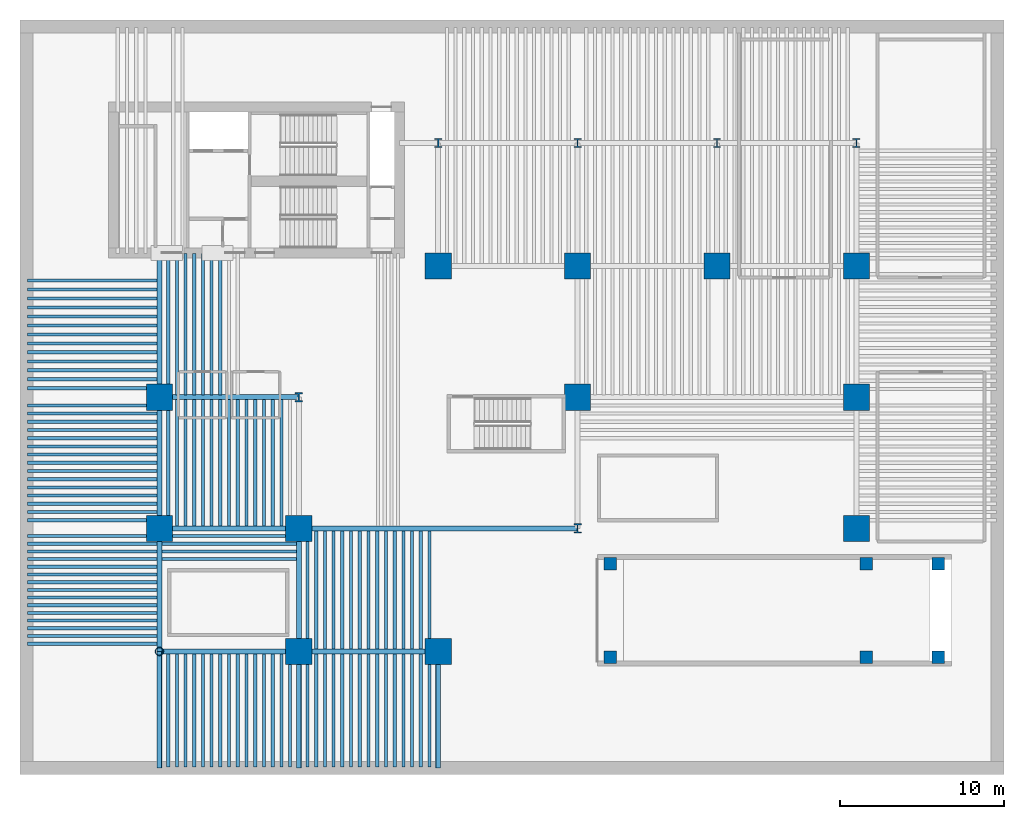
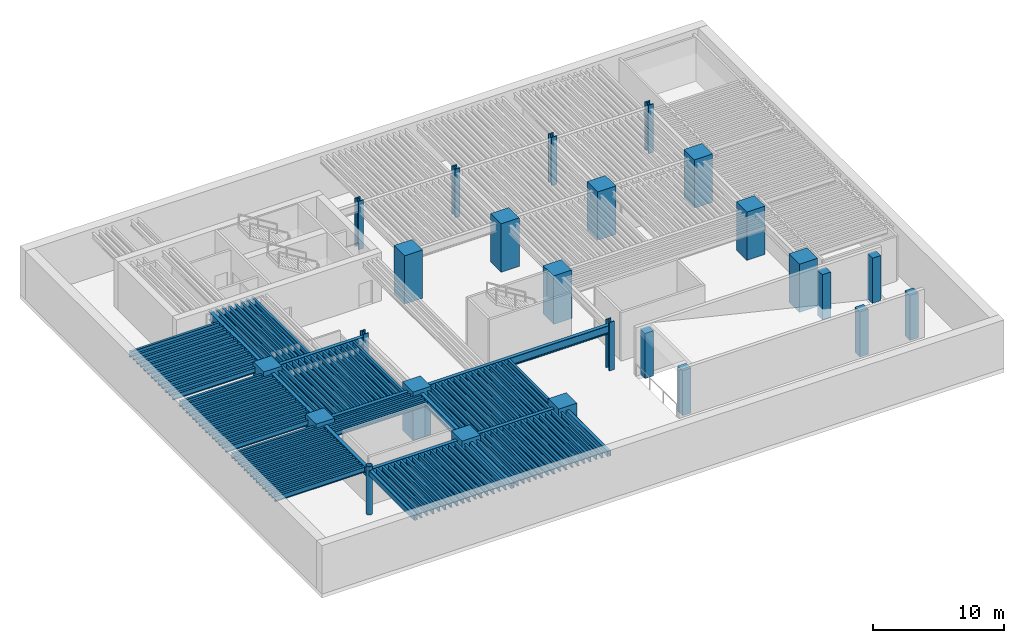
# One storey, part 1 of 9: 125 beams, 25 columns.
"""IFC4 building model written with IfcOpenShell, lengths in metres."""

from ifc_helpers import new_model, si_unit, direction, frame, origin, origin_2d, place, context, subcontext, project, spatial, rectangle, hollow_rectangle, hollow_circle, i_section, extrude, material, material_profile, profile_set, type_object, element, save


model = new_model("IFC4")

# Units and contexts
model_context = context("Model", 3, precision=1e-05, world=origin(), true_north=direction((0.0, 1.0)))
body_context = subcontext(model_context, "Body", "Model", "MODEL_VIEW")
ifc_project = project(units=[si_unit("LENGTHUNIT", "METRE"), si_unit("AREAUNIT", "SQUARE_METRE"), si_unit("VOLUMEUNIT", "CUBIC_METRE"), si_unit("PLANEANGLEUNIT", "RADIAN"), si_unit("MASSUNIT", "GRAM", prefix="KILO")], contexts=[model_context])

# Site, building, storey
site_placement = place(None, origin())
site = spatial("IfcSite", under=ifc_project, at=site_placement, CompositionType="ELEMENT")
building_placement = place(site_placement, origin())
building = spatial("IfcBuilding", under=site, at=building_placement, Name="Caeloran Harvest Quay", CompositionType="ELEMENT")
storey_placement = place(building_placement, frame((0.0, 0.0, -13.5)))
storey = spatial("IfcBuildingStorey", under=building, at=storey_placement, Name="B03", CompositionType="ELEMENT", Elevation=-13.5)

# Columns
ifc_material_1 = material(Name="Steel HISTAR 460", Category="steel")
ifc_material_profile_1 = material_profile(ifc_material_1, hollow_circle(Radius=0.25390625, WallThickness=0.02490234375, at=origin_2d()), Name="CHS 508x25")
ifc_profile_set_1 = profile_set([ifc_material_profile_1], Name="Steel HISTAR 460")
column_type_1 = type_object("IfcColumnType", Name="COL-CC-1-CHS_508x25", PredefinedType="COLUMN", material=ifc_profile_set_1)
column_placement = place(storey_placement, frame((8.5, 7.5, 0.0), z_axis=(0.0, 0.0, 1.0), x_axis=(1.0, 0.0, 0.0)))
element("IfcColumn", 1, at=column_placement, inside=storey, type_object=column_type_1, Name="B03 Structural Column (8.5, 7.5)", PredefinedType="COLUMN", context=body_context, shape_type="SweptSolid", body=[
    extrude(hollow_circle(Radius=0.25390625, WallThickness=0.02490234375, at=origin_2d()), origin(), (0.0, 0.0, 1.0), 4.5),
])
ifc_material_2 = material(Name="Concrete C80/95", Category="concrete")
ifc_material_profile_2 = material_profile(ifc_material_2, rectangle(XDim=1.60009765625, YDim=1.60009765625, at=origin_2d()), Name="RC 1600x1600")
ifc_profile_set_2 = profile_set([ifc_material_profile_2], Name="Concrete C80/95")
column_type_2 = type_object("IfcColumnType", Name="COL-MC-1-RC_1600x1600", PredefinedType="COLUMN", material=ifc_profile_set_2)
for number, where, z_axis, x_axis, name in (
    (2, (8.5, 15.0, 0.0), (0.0, 0.0, 1.0), (1.0, 0.0, 0.0), "B03 Structural Column (8.5, 15.0)"),
    (3, (8.5, 23.0, 0.0), (0.0, 0.0, 1.0), (1.0, 0.0, 0.0), "B03 Structural Column (8.5, 23.0)"),
    (4, (17.0, 7.5, 0.0), (0.0, 0.0, 1.0), (1.0, 0.0, 0.0), "B03 Structural Column (17.0, 7.5)"),
    (5, (17.0, 15.0, 0.0), (0.0, 0.0, 1.0), (1.0, 0.0, 0.0), "B03 Structural Column (17.0, 15.0)"),
    (6, (25.5, 7.5, 0.0), (0.0, 0.0, 1.0), (1.0, 0.0, 0.0), "B03 Structural Column (25.5, 7.5)"),
    (7, (25.5, 31.0, 0.0), (0.0, 0.0, 1.0), (1.0, 0.0, 0.0), "B03 Structural Column (25.5, 31.0)"),
    (8, (34.0, 23.0, 0.0), (0.0, 0.0, 1.0), (1.0, 0.0, 0.0), "B03 Structural Column (34.0, 23.0)"),
    (9, (34.0, 31.0, 0.0), (0.0, 0.0, 1.0), (1.0, 0.0, 0.0), "B03 Structural Column (34.0, 31.0)"),
    (10, (42.5, 31.0, 0.0), (0.0, 0.0, 1.0), (1.0, 0.0, 0.0), "B03 Structural Column (42.5, 31.0)"),
    (11, (51.0, 15.0, 0.0), (0.0, 0.0, 1.0), (1.0, 0.0, 0.0), "B03 Structural Column (51.0, 15.0)"),
    (12, (51.0, 23.0, 0.0), (0.0, 0.0, 1.0), (1.0, 0.0, 0.0), "B03 Structural Column (51.0, 23.0)"),
    (13, (51.0, 31.0, 0.0), (0.0, 0.0, 1.0), (1.0, 0.0, 0.0), "B03 Structural Column (51.0, 31.0)"),
):
    element("IfcColumn", number, at=place(storey_placement, frame(where, z_axis=z_axis, x_axis=x_axis)), inside=storey, type_object=column_type_2, Name=name, PredefinedType="COLUMN", context=body_context, shape_type="SweptSolid", body=[
        extrude(rectangle(XDim=1.60009765625, YDim=1.60009765625, at=origin_2d()), origin(), (0.0, 0.0, 1.0), 4.5),
    ])
ifc_material_3 = material(Name="Concrete C60/75", Category="concrete")
ifc_material_profile_3 = material_profile(ifc_material_3, rectangle(XDim=0.75, YDim=0.75, at=origin_2d()), Name="RC 750x750")
ifc_profile_set_3 = profile_set([ifc_material_profile_3], Name="Concrete C60/75")
column_type_3 = type_object("IfcColumnType", Name="COL-MC-5-RC_750x750", PredefinedType="COLUMN", material=ifc_profile_set_3)
for number, where, z_axis, x_axis, name in (
    (14, (36.0, 7.14990234375, 0.0), (0.0, 0.0, 1.0), (1.0, 0.0, 0.0), "B03 Vehicle Ramp Support Pier (36.0, 7.2)"),
    (15, (36.0, 12.85009765625, 0.0), (0.0, 0.0, 1.0), (1.0, 0.0, 0.0), "B03 Vehicle Ramp Support Pier (36.0, 12.8)"),
    (16, (51.60009765625, 7.14990234375, 0.0), (0.0, 0.0, 1.0), (1.0, 0.0, 0.0), "B03 Vehicle Ramp Support Pier (51.6, 7.2)"),
    (17, (51.60009765625, 12.85009765625, 0.0), (0.0, 0.0, 1.0), (1.0, 0.0, 0.0), "B03 Vehicle Ramp Support Pier (51.6, 12.8)"),
    (18, (56.0, 7.14990234375, 0.0), (0.0, 0.0, 1.0), (1.0, 0.0, 0.0), "B03 Vehicle Ramp Support Pier (56.0, 7.2)"),
    (19, (56.0, 12.85009765625, 0.0), (0.0, 0.0, 1.0), (1.0, 0.0, 0.0), "B03 Vehicle Ramp Support Pier (56.0, 12.8)"),
):
    element("IfcColumn", number, at=place(storey_placement, frame(where, z_axis=z_axis, x_axis=x_axis)), inside=storey, type_object=column_type_3, Name=name, PredefinedType="COLUMN", context=body_context, shape_type="SweptSolid", body=[
        extrude(rectangle(XDim=0.75, YDim=0.75, at=origin_2d()), origin(), (0.0, 0.0, 1.0), 4.199951171875),
    ])
ifc_material_profile_4 = material_profile(ifc_material_1, i_section(OverallWidth=0.4541015625, OverallDepth=0.569091796875, WebThickness=0.077880859375, FlangeThickness=0.080078125, FilletRadius=0.014892578125, at=origin_2d()), Name="HD 400x1086")
ifc_profile_set_4 = profile_set([ifc_material_profile_4], Name="Steel HISTAR 460")
column_type_4 = type_object("IfcColumnType", Name="COL-SC-1-HD_400x1086", PredefinedType="COLUMN", material=ifc_profile_set_4)
for number, where, z_axis, x_axis, name in (
    (20, (17.0, 23.0, 0.0), (0.0, 0.0, 1.0), (1.0, 0.0, 0.0), "B03 Structural Column (17.0, 23.0)"),
    (21, (25.5, 38.5, 0.0), (0.0, 0.0, 1.0), (1.0, 0.0, 0.0), "B03 Structural Column (25.5, 38.5)"),
    (22, (34.0, 15.0, 0.0), (0.0, 0.0, 1.0), (1.0, 0.0, 0.0), "B03 Structural Column (34.0, 15.0)"),
    (23, (34.0, 38.5, 0.0), (0.0, 0.0, 1.0), (1.0, 0.0, 0.0), "B03 Structural Column (34.0, 38.5)"),
    (24, (42.5, 38.5, 0.0), (0.0, 0.0, 1.0), (1.0, 0.0, 0.0), "B03 Structural Column (42.5, 38.5)"),
    (25, (51.0, 38.5, 0.0), (0.0, 0.0, 1.0), (1.0, 0.0, 0.0), "B03 Structural Column (51.0, 38.5)"),
):
    element("IfcColumn", number, at=place(storey_placement, frame(where, z_axis=z_axis, x_axis=x_axis)), inside=storey, type_object=column_type_4, Name=name, PredefinedType="COLUMN", context=body_context, shape_type="SweptSolid", body=[
        extrude(i_section(OverallWidth=0.4541015625, OverallDepth=0.569091796875, WebThickness=0.077880859375, FlangeThickness=0.080078125, FilletRadius=0.014892578125, at=origin_2d()), origin(), (0.0, 0.0, 1.0), 4.5),
    ])

# Beams
ifc_material_4 = material(Name="Steel S355J2", Category="steel")
ifc_material_profile_5 = material_profile(ifc_material_4, i_section(OverallWidth=0.300048828125, OverallDepth=0.800048828125, WebThickness=0.017578125, FlangeThickness=0.032958984375, FilletRadius=0.030029296875, at=origin_2d()), Name="HE 800 B")
ifc_profile_set_5 = profile_set([ifc_material_profile_5], Name="Steel S355J2")
beam_type_1 = type_object("IfcBeamType", Name="BM-PG-1-HE_800_B", PredefinedType="BEAM", material=ifc_profile_set_5)
for number, where, z_axis, x_axis, name in (
    (26, (8.5, 7.5, 3.75), (1.0, 0.0, 0.0), (0.0, 1.0, 0.0), "B03 Primary East-West Girder Y=7.5"),
    (27, (17.0, 7.5, 3.75), (1.0, 0.0, 0.0), (0.0, 1.0, 0.0), "B03 Primary East-West Girder Y=7.5"),
    (28, (8.5, 15.0, 3.75), (1.0, 0.0, 0.0), (0.0, 1.0, 0.0), "B03 Primary East-West Girder Y=15.0"),
):
    element("IfcBeam", number, at=place(storey_placement, frame(where, z_axis=z_axis, x_axis=x_axis)), inside=storey, type_object=beam_type_1, Name=name, PredefinedType="BEAM", context=body_context, shape_type="SweptSolid", body=[
        extrude(i_section(OverallWidth=0.300048828125, OverallDepth=0.800048828125, WebThickness=0.017578125, FlangeThickness=0.032958984375, FilletRadius=0.030029296875, at=origin_2d()), origin(), (0.0, 0.0, 1.0), 8.5),
    ])
beam_1_placement = place(storey_placement, frame((17.0, 15.0, 3.75), z_axis=(1.0, 0.0, 0.0), x_axis=(0.0, 1.0, 0.0)))
element("IfcBeam", 29, at=beam_1_placement, inside=storey, type_object=beam_type_1, Name="B03 Primary East-West Girder Y=15.0", PredefinedType="BEAM", context=body_context, shape_type="SweptSolid", body=[
    extrude(i_section(OverallWidth=0.300048828125, OverallDepth=0.800048828125, WebThickness=0.017578125, FlangeThickness=0.032958984375, FilletRadius=0.030029296875, at=origin_2d()), origin(), (0.0, 0.0, 1.0), 17.0),
])
beam_2_placement = place(storey_placement, frame((8.5, 23.0, 3.75), z_axis=(1.0, 0.0, 0.0), x_axis=(0.0, 1.0, 0.0)))
element("IfcBeam", 30, at=beam_2_placement, inside=storey, type_object=beam_type_1, Name="B03 Primary East-West Girder Y=23.0", PredefinedType="BEAM", context=body_context, shape_type="SweptSolid", body=[
    extrude(i_section(OverallWidth=0.300048828125, OverallDepth=0.800048828125, WebThickness=0.017578125, FlangeThickness=0.032958984375, FilletRadius=0.030029296875, at=origin_2d()), origin(), (0.0, 0.0, 1.0), 8.5),
])
beam_3_placement = place(storey_placement, frame((8.5, 7.5, 3.75), z_axis=(0.0, 1.0, 0.0), x_axis=(-1.0, 0.0, 0.0)))
element("IfcBeam", 31, at=beam_3_placement, inside=storey, type_object=beam_type_1, Name="B03 Primary North-South Girder X=8.5", PredefinedType="BEAM", context=body_context, shape_type="SweptSolid", body=[
    extrude(i_section(OverallWidth=0.300048828125, OverallDepth=0.800048828125, WebThickness=0.017578125, FlangeThickness=0.032958984375, FilletRadius=0.030029296875, at=origin_2d()), origin(), (0.0, 0.0, 1.0), 7.5),
])
beam_4_placement = place(storey_placement, frame((8.5, 15.0, 3.75), z_axis=(0.0, 1.0, 0.0), x_axis=(-1.0, 0.0, 0.0)))
element("IfcBeam", 32, at=beam_4_placement, inside=storey, type_object=beam_type_1, Name="B03 Primary North-South Girder X=8.5", PredefinedType="BEAM", context=body_context, shape_type="SweptSolid", body=[
    extrude(i_section(OverallWidth=0.300048828125, OverallDepth=0.800048828125, WebThickness=0.017578125, FlangeThickness=0.032958984375, FilletRadius=0.030029296875, at=origin_2d()), origin(), (0.0, 0.0, 1.0), 8.0),
])
beam_5_placement = place(storey_placement, frame((8.5, 23.0, 3.75), z_axis=(0.0, 1.0, 0.0), x_axis=(-1.0, 0.0, 0.0)))
element("IfcBeam", 33, at=beam_5_placement, inside=storey, type_object=beam_type_1, Name="B03 Core South Tie Girder X=8.5", PredefinedType="BEAM", context=body_context, shape_type="SweptSolid", body=[
    extrude(i_section(OverallWidth=0.300048828125, OverallDepth=0.800048828125, WebThickness=0.017578125, FlangeThickness=0.032958984375, FilletRadius=0.030029296875, at=origin_2d()), origin(), (0.0, 0.0, 1.0), 8.75),
])
beam_6_placement = place(storey_placement, frame((17.0, 7.5, 3.75), z_axis=(0.0, 1.0, 0.0), x_axis=(-1.0, 0.0, 0.0)))
element("IfcBeam", 34, at=beam_6_placement, inside=storey, type_object=beam_type_1, Name="B03 Primary North-South Girder X=17.0", PredefinedType="BEAM", context=body_context, shape_type="SweptSolid", body=[
    extrude(i_section(OverallWidth=0.300048828125, OverallDepth=0.800048828125, WebThickness=0.017578125, FlangeThickness=0.032958984375, FilletRadius=0.030029296875, at=origin_2d()), origin(), (0.0, 0.0, 1.0), 7.5),
])
ifc_material_profile_6 = material_profile(ifc_material_4, i_section(OverallWidth=0.199951171875, OverallDepth=0.5, WebThickness=0.01025390625, FlangeThickness=0.01611328125, FilletRadius=0.02099609375, at=origin_2d()), Name="IPE 500")
ifc_profile_set_6 = profile_set([ifc_material_profile_6], Name="Steel S355J2")
beam_type_2 = type_object("IfcBeamType", Name="BM-SB-2-IPE_500", PredefinedType="JOIST", material=ifc_profile_set_6)
for number, where, z_axis, x_axis, name in (
    (35, (9.03125, 0.449951171875, 3.89990234375), (0.0, 1.0, 0.0), (-1.0, 0.0, 0.0), "B03 Secondary Composite Joist"),
    (36, (10.09375, 0.449951171875, 3.89990234375), (0.0, 1.0, 0.0), (-1.0, 0.0, 0.0), "B03 Secondary Composite Joist"),
    (37, (11.15625, 0.449951171875, 3.89990234375), (0.0, 1.0, 0.0), (-1.0, 0.0, 0.0), "B03 Secondary Composite Joist"),
    (38, (12.21875, 0.449951171875, 3.89990234375), (0.0, 1.0, 0.0), (-1.0, 0.0, 0.0), "B03 Secondary Composite Joist"),
    (39, (13.28125, 0.449951171875, 3.89990234375), (0.0, 1.0, 0.0), (-1.0, 0.0, 0.0), "B03 Secondary Composite Joist"),
    (40, (14.34375, 0.449951171875, 3.89990234375), (0.0, 1.0, 0.0), (-1.0, 0.0, 0.0), "B03 Secondary Composite Joist"),
    (41, (15.40625, 0.449951171875, 3.89990234375), (0.0, 1.0, 0.0), (-1.0, 0.0, 0.0), "B03 Secondary Composite Joist"),
    (42, (16.46875, 0.449951171875, 3.89990234375), (0.0, 1.0, 0.0), (-1.0, 0.0, 0.0), "B03 Secondary Composite Joist"),
    (43, (17.53125, 0.449951171875, 3.89990234375), (0.0, 1.0, 0.0), (-1.0, 0.0, 0.0), "B03 Secondary Composite Joist"),
    (44, (18.59375, 0.449951171875, 3.89990234375), (0.0, 1.0, 0.0), (-1.0, 0.0, 0.0), "B03 Secondary Composite Joist"),
    (45, (19.65625, 0.449951171875, 3.89990234375), (0.0, 1.0, 0.0), (-1.0, 0.0, 0.0), "B03 Secondary Composite Joist"),
    (46, (20.71875, 0.449951171875, 3.89990234375), (0.0, 1.0, 0.0), (-1.0, 0.0, 0.0), "B03 Secondary Composite Joist"),
    (47, (21.78125, 0.449951171875, 3.89990234375), (0.0, 1.0, 0.0), (-1.0, 0.0, 0.0), "B03 Secondary Composite Joist"),
    (48, (22.84375, 0.449951171875, 3.89990234375), (0.0, 1.0, 0.0), (-1.0, 0.0, 0.0), "B03 Secondary Composite Joist"),
    (49, (23.90625, 0.449951171875, 3.89990234375), (0.0, 1.0, 0.0), (-1.0, 0.0, 0.0), "B03 Secondary Composite Joist"),
    (50, (24.96875, 0.449951171875, 3.89990234375), (0.0, 1.0, 0.0), (-1.0, 0.0, 0.0), "B03 Secondary Composite Joist"),
):
    element("IfcBeam", number, at=place(storey_placement, frame(where, z_axis=z_axis, x_axis=x_axis)), inside=storey, type_object=beam_type_2, Name=name, PredefinedType="JOIST", context=body_context, shape_type="SweptSolid", body=[
        extrude(i_section(OverallWidth=0.199951171875, OverallDepth=0.5, WebThickness=0.01025390625, FlangeThickness=0.01611328125, FilletRadius=0.02099609375, at=origin_2d()), origin(), (0.0, 0.0, 1.0), 6.905029296875),
    ])
for number, where, z_axis, x_axis, name in (
    (51, (17.53125, 7.64501953125, 3.89990234375), (0.0, 1.0, 0.0), (-1.0, 0.0, 0.0), "B03 Secondary Composite Joist"),
    (52, (18.59375, 7.64501953125, 3.89990234375), (0.0, 1.0, 0.0), (-1.0, 0.0, 0.0), "B03 Secondary Composite Joist"),
    (53, (19.65625, 7.64501953125, 3.89990234375), (0.0, 1.0, 0.0), (-1.0, 0.0, 0.0), "B03 Secondary Composite Joist"),
    (54, (20.71875, 7.64501953125, 3.89990234375), (0.0, 1.0, 0.0), (-1.0, 0.0, 0.0), "B03 Secondary Composite Joist"),
    (55, (21.78125, 7.64501953125, 3.89990234375), (0.0, 1.0, 0.0), (-1.0, 0.0, 0.0), "B03 Secondary Composite Joist"),
    (56, (22.84375, 7.64501953125, 3.89990234375), (0.0, 1.0, 0.0), (-1.0, 0.0, 0.0), "B03 Secondary Composite Joist"),
    (57, (23.90625, 7.64501953125, 3.89990234375), (0.0, 1.0, 0.0), (-1.0, 0.0, 0.0), "B03 Secondary Composite Joist"),
    (58, (24.96875, 7.64501953125, 3.89990234375), (0.0, 1.0, 0.0), (-1.0, 0.0, 0.0), "B03 Secondary Composite Joist"),
):
    element("IfcBeam", number, at=place(storey_placement, frame(where, z_axis=z_axis, x_axis=x_axis)), inside=storey, type_object=beam_type_2, Name=name, PredefinedType="JOIST", context=body_context, shape_type="SweptSolid", body=[
        extrude(i_section(OverallWidth=0.199951171875, OverallDepth=0.5, WebThickness=0.01025390625, FlangeThickness=0.01611328125, FilletRadius=0.02099609375, at=origin_2d()), origin(), (0.0, 0.0, 1.0), 7.2099609375),
    ])
for number, where, z_axis, x_axis, name in (
    (59, (9.03125, 15.14501953125, 3.89990234375), (0.0, 1.0, 0.0), (-1.0, 0.0, 0.0), "B03 Secondary Composite Joist"),
    (60, (10.09375, 15.14501953125, 3.89990234375), (0.0, 1.0, 0.0), (-1.0, 0.0, 0.0), "B03 Secondary Composite Joist"),
    (61, (11.15625, 15.14501953125, 3.89990234375), (0.0, 1.0, 0.0), (-1.0, 0.0, 0.0), "B03 Secondary Composite Joist"),
    (62, (12.21875, 15.14501953125, 3.89990234375), (0.0, 1.0, 0.0), (-1.0, 0.0, 0.0), "B03 Secondary Composite Joist"),
    (63, (13.28125, 15.14501953125, 3.89990234375), (0.0, 1.0, 0.0), (-1.0, 0.0, 0.0), "B03 Secondary Composite Joist"),
    (64, (14.34375, 15.14501953125, 3.89990234375), (0.0, 1.0, 0.0), (-1.0, 0.0, 0.0), "B03 Secondary Composite Joist"),
    (65, (15.40625, 15.14501953125, 3.89990234375), (0.0, 1.0, 0.0), (-1.0, 0.0, 0.0), "B03 Secondary Composite Joist"),
):
    element("IfcBeam", number, at=place(storey_placement, frame(where, z_axis=z_axis, x_axis=x_axis)), inside=storey, type_object=beam_type_2, Name=name, PredefinedType="JOIST", context=body_context, shape_type="SweptSolid", body=[
        extrude(i_section(OverallWidth=0.199951171875, OverallDepth=0.5, WebThickness=0.01025390625, FlangeThickness=0.01611328125, FilletRadius=0.02099609375, at=origin_2d()), origin(), (0.0, 0.0, 1.0), 7.7099609375),
    ])
for number, where, z_axis, x_axis, name in (
    (66, (9.03125, 23.14501953125, 3.89990234375), (0.0, 1.0, 0.0), (-1.0, 0.0, 0.0), "B03 Secondary Composite Joist"),
    (67, (10.09375, 23.14501953125, 3.89990234375), (0.0, 1.0, 0.0), (-1.0, 0.0, 0.0), "B03 Secondary Composite Joist"),
    (68, (11.15625, 23.14501953125, 3.89990234375), (0.0, 1.0, 0.0), (-1.0, 0.0, 0.0), "B03 Secondary Composite Joist"),
    (69, (12.21875, 23.14501953125, 3.89990234375), (0.0, 1.0, 0.0), (-1.0, 0.0, 0.0), "B03 Secondary Composite Joist"),
):
    element("IfcBeam", number, at=place(storey_placement, frame(where, z_axis=z_axis, x_axis=x_axis)), inside=storey, type_object=beam_type_2, Name=name, PredefinedType="JOIST", context=body_context, shape_type="SweptSolid", body=[
        extrude(i_section(OverallWidth=0.199951171875, OverallDepth=0.5, WebThickness=0.01025390625, FlangeThickness=0.01611328125, FilletRadius=0.02099609375, at=origin_2d()), origin(), (0.0, 0.0, 1.0), 8.60498046875),
    ])
for number, where, z_axis, x_axis, name in (
    (70, (0.449951171875, 7.96875, 3.89990234375), (1.0, 0.0, 0.0), (0.0, 1.0, 0.0), "B03 Secondary East-West Composite Joist"),
    (71, (0.449951171875, 8.90625, 3.89990234375), (1.0, 0.0, 0.0), (0.0, 1.0, 0.0), "B03 Secondary East-West Composite Joist"),
    (72, (0.449951171875, 9.84375, 3.89990234375), (1.0, 0.0, 0.0), (0.0, 1.0, 0.0), "B03 Secondary East-West Composite Joist"),
    (73, (0.449951171875, 10.78125, 3.89990234375), (1.0, 0.0, 0.0), (0.0, 1.0, 0.0), "B03 Secondary East-West Composite Joist"),
    (74, (0.449951171875, 11.71875, 3.89990234375), (1.0, 0.0, 0.0), (0.0, 1.0, 0.0), "B03 Secondary East-West Composite Joist"),
    (75, (0.449951171875, 12.65625, 3.89990234375), (1.0, 0.0, 0.0), (0.0, 1.0, 0.0), "B03 Secondary East-West Composite Joist"),
    (76, (0.449951171875, 13.59375, 3.89990234375), (1.0, 0.0, 0.0), (0.0, 1.0, 0.0), "B03 Secondary East-West Composite Joist"),
    (77, (0.449951171875, 14.53125, 3.89990234375), (1.0, 0.0, 0.0), (0.0, 1.0, 0.0), "B03 Secondary East-West Composite Joist"),
    (78, (0.449951171875, 15.5, 3.89990234375), (1.0, 0.0, 0.0), (0.0, 1.0, 0.0), "B03 Secondary East-West Composite Joist"),
    (79, (0.449951171875, 16.5, 3.89990234375), (1.0, 0.0, 0.0), (0.0, 1.0, 0.0), "B03 Secondary East-West Composite Joist"),
    (80, (0.449951171875, 17.5, 3.89990234375), (1.0, 0.0, 0.0), (0.0, 1.0, 0.0), "B03 Secondary East-West Composite Joist"),
    (81, (0.449951171875, 18.5, 3.89990234375), (1.0, 0.0, 0.0), (0.0, 1.0, 0.0), "B03 Secondary East-West Composite Joist"),
    (82, (0.449951171875, 19.5, 3.89990234375), (1.0, 0.0, 0.0), (0.0, 1.0, 0.0), "B03 Secondary East-West Composite Joist"),
    (83, (0.449951171875, 20.5, 3.89990234375), (1.0, 0.0, 0.0), (0.0, 1.0, 0.0), "B03 Secondary East-West Composite Joist"),
    (84, (0.449951171875, 21.5, 3.89990234375), (1.0, 0.0, 0.0), (0.0, 1.0, 0.0), "B03 Secondary East-West Composite Joist"),
    (85, (0.449951171875, 22.5, 3.89990234375), (1.0, 0.0, 0.0), (0.0, 1.0, 0.0), "B03 Secondary East-West Composite Joist"),
    (86, (0.449951171875, 23.546875, 3.89990234375), (1.0, 0.0, 0.0), (0.0, 1.0, 0.0), "B03 Secondary East-West Composite Joist"),
    (87, (0.449951171875, 24.640625, 3.89990234375), (1.0, 0.0, 0.0), (0.0, 1.0, 0.0), "B03 Secondary East-West Composite Joist"),
    (88, (0.449951171875, 25.734375, 3.89990234375), (1.0, 0.0, 0.0), (0.0, 1.0, 0.0), "B03 Secondary East-West Composite Joist"),
    (89, (0.449951171875, 26.828125, 3.89990234375), (1.0, 0.0, 0.0), (0.0, 1.0, 0.0), "B03 Secondary East-West Composite Joist"),
    (90, (0.449951171875, 27.921875, 3.89990234375), (1.0, 0.0, 0.0), (0.0, 1.0, 0.0), "B03 Secondary East-West Composite Joist"),
    (91, (0.449951171875, 29.015625, 3.89990234375), (1.0, 0.0, 0.0), (0.0, 1.0, 0.0), "B03 Secondary East-West Composite Joist"),
    (92, (0.449951171875, 30.109375, 3.89990234375), (1.0, 0.0, 0.0), (0.0, 1.0, 0.0), "B03 Secondary East-West Composite Joist"),
):
    element("IfcBeam", number, at=place(storey_placement, frame(where, z_axis=z_axis, x_axis=x_axis)), inside=storey, type_object=beam_type_2, Name=name, PredefinedType="JOIST", context=body_context, shape_type="SweptSolid", body=[
        extrude(i_section(OverallWidth=0.199951171875, OverallDepth=0.5, WebThickness=0.01025390625, FlangeThickness=0.01611328125, FilletRadius=0.02099609375, at=origin_2d()), origin(), (0.0, 0.0, 1.0), 7.905029296875),
    ])
for number, where, z_axis, x_axis, name in (
    (93, (8.64501953125, 13.59375, 3.89990234375), (1.0, 0.0, 0.0), (0.0, 1.0, 0.0), "B03 Secondary East-West Composite Joist"),
    (94, (8.64501953125, 14.53125, 3.89990234375), (1.0, 0.0, 0.0), (0.0, 1.0, 0.0), "B03 Secondary East-West Composite Joist"),
):
    element("IfcBeam", number, at=place(storey_placement, frame(where, z_axis=z_axis, x_axis=x_axis)), inside=storey, type_object=beam_type_2, Name=name, PredefinedType="JOIST", context=body_context, shape_type="SweptSolid", body=[
        extrude(i_section(OverallWidth=0.199951171875, OverallDepth=0.5, WebThickness=0.01025390625, FlangeThickness=0.01611328125, FilletRadius=0.02099609375, at=origin_2d()), origin(), (0.0, 0.0, 1.0), 8.2099609375),
    ])
ifc_material_profile_7 = material_profile(ifc_material_4, i_section(OverallWidth=0.18994140625, OverallDepth=0.449951171875, WebThickness=0.009521484375, FlangeThickness=0.0146484375, FilletRadius=0.02099609375, at=origin_2d()), Name="IPE 450")
ifc_profile_set_7 = profile_set([ifc_material_profile_7], Name="Steel S355J2")
beam_type_3 = type_object("IfcBeamType", Name="BM-SB-3-IPE_450", PredefinedType="JOIST", material=ifc_profile_set_7)
for number, where, z_axis, x_axis, name in (
    (95, (9.5625, 0.449951171875, 3.925048828125), (0.0, 1.0, 0.0), (-1.0, 0.0, 0.0), "B03 Secondary Composite Joist"),
    (96, (10.625, 0.449951171875, 3.925048828125), (0.0, 1.0, 0.0), (-1.0, 0.0, 0.0), "B03 Secondary Composite Joist"),
    (97, (11.6875, 0.449951171875, 3.925048828125), (0.0, 1.0, 0.0), (-1.0, 0.0, 0.0), "B03 Secondary Composite Joist"),
    (98, (12.75, 0.449951171875, 3.925048828125), (0.0, 1.0, 0.0), (-1.0, 0.0, 0.0), "B03 Secondary Composite Joist"),
    (99, (13.8125, 0.449951171875, 3.925048828125), (0.0, 1.0, 0.0), (-1.0, 0.0, 0.0), "B03 Secondary Composite Joist"),
    (100, (14.875, 0.449951171875, 3.925048828125), (0.0, 1.0, 0.0), (-1.0, 0.0, 0.0), "B03 Secondary Composite Joist"),
    (101, (15.9375, 0.449951171875, 3.925048828125), (0.0, 1.0, 0.0), (-1.0, 0.0, 0.0), "B03 Secondary Composite Joist"),
    (102, (18.0625, 0.449951171875, 3.925048828125), (0.0, 1.0, 0.0), (-1.0, 0.0, 0.0), "B03 Secondary Composite Joist"),
    (103, (19.125, 0.449951171875, 3.925048828125), (0.0, 1.0, 0.0), (-1.0, 0.0, 0.0), "B03 Secondary Composite Joist"),
    (104, (20.1875, 0.449951171875, 3.925048828125), (0.0, 1.0, 0.0), (-1.0, 0.0, 0.0), "B03 Secondary Composite Joist"),
    (105, (21.25, 0.449951171875, 3.925048828125), (0.0, 1.0, 0.0), (-1.0, 0.0, 0.0), "B03 Secondary Composite Joist"),
    (106, (22.3125, 0.449951171875, 3.925048828125), (0.0, 1.0, 0.0), (-1.0, 0.0, 0.0), "B03 Secondary Composite Joist"),
    (107, (23.375, 0.449951171875, 3.925048828125), (0.0, 1.0, 0.0), (-1.0, 0.0, 0.0), "B03 Secondary Composite Joist"),
    (108, (24.4375, 0.449951171875, 3.925048828125), (0.0, 1.0, 0.0), (-1.0, 0.0, 0.0), "B03 Secondary Composite Joist"),
):
    element("IfcBeam", number, at=place(storey_placement, frame(where, z_axis=z_axis, x_axis=x_axis)), inside=storey, type_object=beam_type_3, Name=name, PredefinedType="JOIST", context=body_context, shape_type="SweptSolid", body=[
        extrude(i_section(OverallWidth=0.18994140625, OverallDepth=0.449951171875, WebThickness=0.009521484375, FlangeThickness=0.0146484375, FilletRadius=0.02099609375, at=origin_2d()), origin(), (0.0, 0.0, 1.0), 6.905029296875),
    ])
for number, where, z_axis, x_axis, name in (
    (109, (18.0625, 7.64501953125, 3.925048828125), (0.0, 1.0, 0.0), (-1.0, 0.0, 0.0), "B03 Secondary Composite Joist"),
    (110, (19.125, 7.64501953125, 3.925048828125), (0.0, 1.0, 0.0), (-1.0, 0.0, 0.0), "B03 Secondary Composite Joist"),
    (111, (20.1875, 7.64501953125, 3.925048828125), (0.0, 1.0, 0.0), (-1.0, 0.0, 0.0), "B03 Secondary Composite Joist"),
    (112, (21.25, 7.64501953125, 3.925048828125), (0.0, 1.0, 0.0), (-1.0, 0.0, 0.0), "B03 Secondary Composite Joist"),
    (113, (22.3125, 7.64501953125, 3.925048828125), (0.0, 1.0, 0.0), (-1.0, 0.0, 0.0), "B03 Secondary Composite Joist"),
    (114, (23.375, 7.64501953125, 3.925048828125), (0.0, 1.0, 0.0), (-1.0, 0.0, 0.0), "B03 Secondary Composite Joist"),
    (115, (24.4375, 7.64501953125, 3.925048828125), (0.0, 1.0, 0.0), (-1.0, 0.0, 0.0), "B03 Secondary Composite Joist"),
):
    element("IfcBeam", number, at=place(storey_placement, frame(where, z_axis=z_axis, x_axis=x_axis)), inside=storey, type_object=beam_type_3, Name=name, PredefinedType="JOIST", context=body_context, shape_type="SweptSolid", body=[
        extrude(i_section(OverallWidth=0.18994140625, OverallDepth=0.449951171875, WebThickness=0.009521484375, FlangeThickness=0.0146484375, FilletRadius=0.02099609375, at=origin_2d()), origin(), (0.0, 0.0, 1.0), 7.2099609375),
    ])
for number, where, z_axis, x_axis, name in (
    (116, (9.5625, 15.14501953125, 3.925048828125), (0.0, 1.0, 0.0), (-1.0, 0.0, 0.0), "B03 Secondary Composite Joist"),
    (117, (10.625, 15.14501953125, 3.925048828125), (0.0, 1.0, 0.0), (-1.0, 0.0, 0.0), "B03 Secondary Composite Joist"),
    (118, (11.6875, 15.14501953125, 3.925048828125), (0.0, 1.0, 0.0), (-1.0, 0.0, 0.0), "B03 Secondary Composite Joist"),
    (119, (12.75, 15.14501953125, 3.925048828125), (0.0, 1.0, 0.0), (-1.0, 0.0, 0.0), "B03 Secondary Composite Joist"),
    (120, (13.8125, 15.14501953125, 3.925048828125), (0.0, 1.0, 0.0), (-1.0, 0.0, 0.0), "B03 Secondary Composite Joist"),
    (121, (14.875, 15.14501953125, 3.925048828125), (0.0, 1.0, 0.0), (-1.0, 0.0, 0.0), "B03 Secondary Composite Joist"),
    (122, (15.9375, 15.14501953125, 3.925048828125), (0.0, 1.0, 0.0), (-1.0, 0.0, 0.0), "B03 Secondary Composite Joist"),
):
    element("IfcBeam", number, at=place(storey_placement, frame(where, z_axis=z_axis, x_axis=x_axis)), inside=storey, type_object=beam_type_3, Name=name, PredefinedType="JOIST", context=body_context, shape_type="SweptSolid", body=[
        extrude(i_section(OverallWidth=0.18994140625, OverallDepth=0.449951171875, WebThickness=0.009521484375, FlangeThickness=0.0146484375, FilletRadius=0.02099609375, at=origin_2d()), origin(), (0.0, 0.0, 1.0), 7.7099609375),
    ])
for number, where, z_axis, x_axis, name in (
    (123, (9.5625, 23.14501953125, 3.925048828125), (0.0, 1.0, 0.0), (-1.0, 0.0, 0.0), "B03 Secondary Composite Joist"),
    (124, (10.625, 23.14501953125, 3.925048828125), (0.0, 1.0, 0.0), (-1.0, 0.0, 0.0), "B03 Secondary Composite Joist"),
    (125, (11.6875, 23.14501953125, 3.925048828125), (0.0, 1.0, 0.0), (-1.0, 0.0, 0.0), "B03 Secondary Composite Joist"),
):
    element("IfcBeam", number, at=place(storey_placement, frame(where, z_axis=z_axis, x_axis=x_axis)), inside=storey, type_object=beam_type_3, Name=name, PredefinedType="JOIST", context=body_context, shape_type="SweptSolid", body=[
        extrude(i_section(OverallWidth=0.18994140625, OverallDepth=0.449951171875, WebThickness=0.009521484375, FlangeThickness=0.0146484375, FilletRadius=0.02099609375, at=origin_2d()), origin(), (0.0, 0.0, 1.0), 8.60498046875),
    ])
for number, where, z_axis, x_axis, name in (
    (126, (0.449951171875, 8.4375, 3.925048828125), (1.0, 0.0, 0.0), (0.0, 1.0, 0.0), "B03 Secondary East-West Composite Joist"),
    (127, (0.449951171875, 9.375, 3.925048828125), (1.0, 0.0, 0.0), (0.0, 1.0, 0.0), "B03 Secondary East-West Composite Joist"),
    (128, (0.449951171875, 10.3125, 3.925048828125), (1.0, 0.0, 0.0), (0.0, 1.0, 0.0), "B03 Secondary East-West Composite Joist"),
    (129, (0.449951171875, 11.25, 3.925048828125), (1.0, 0.0, 0.0), (0.0, 1.0, 0.0), "B03 Secondary East-West Composite Joist"),
    (130, (0.449951171875, 12.1875, 3.925048828125), (1.0, 0.0, 0.0), (0.0, 1.0, 0.0), "B03 Secondary East-West Composite Joist"),
    (131, (0.449951171875, 13.125, 3.925048828125), (1.0, 0.0, 0.0), (0.0, 1.0, 0.0), "B03 Secondary East-West Composite Joist"),
    (132, (0.449951171875, 14.0625, 3.925048828125), (1.0, 0.0, 0.0), (0.0, 1.0, 0.0), "B03 Secondary East-West Composite Joist"),
    (133, (0.449951171875, 16.0, 3.925048828125), (1.0, 0.0, 0.0), (0.0, 1.0, 0.0), "B03 Secondary East-West Composite Joist"),
    (134, (0.449951171875, 17.0, 3.925048828125), (1.0, 0.0, 0.0), (0.0, 1.0, 0.0), "B03 Secondary East-West Composite Joist"),
    (135, (0.449951171875, 18.0, 3.925048828125), (1.0, 0.0, 0.0), (0.0, 1.0, 0.0), "B03 Secondary East-West Composite Joist"),
    (136, (0.449951171875, 19.0, 3.925048828125), (1.0, 0.0, 0.0), (0.0, 1.0, 0.0), "B03 Secondary East-West Composite Joist"),
    (137, (0.449951171875, 20.0, 3.925048828125), (1.0, 0.0, 0.0), (0.0, 1.0, 0.0), "B03 Secondary East-West Composite Joist"),
    (138, (0.449951171875, 21.0, 3.925048828125), (1.0, 0.0, 0.0), (0.0, 1.0, 0.0), "B03 Secondary East-West Composite Joist"),
    (139, (0.449951171875, 22.0, 3.925048828125), (1.0, 0.0, 0.0), (0.0, 1.0, 0.0), "B03 Secondary East-West Composite Joist"),
    (140, (0.449951171875, 24.09375, 3.925048828125), (1.0, 0.0, 0.0), (0.0, 1.0, 0.0), "B03 Secondary East-West Composite Joist"),
    (141, (0.449951171875, 25.1875, 3.925048828125), (1.0, 0.0, 0.0), (0.0, 1.0, 0.0), "B03 Secondary East-West Composite Joist"),
    (142, (0.449951171875, 26.28125, 3.925048828125), (1.0, 0.0, 0.0), (0.0, 1.0, 0.0), "B03 Secondary East-West Composite Joist"),
    (143, (0.449951171875, 27.375, 3.925048828125), (1.0, 0.0, 0.0), (0.0, 1.0, 0.0), "B03 Secondary East-West Composite Joist"),
    (144, (0.449951171875, 28.46875, 3.925048828125), (1.0, 0.0, 0.0), (0.0, 1.0, 0.0), "B03 Secondary East-West Composite Joist"),
    (145, (0.449951171875, 29.5625, 3.925048828125), (1.0, 0.0, 0.0), (0.0, 1.0, 0.0), "B03 Secondary East-West Composite Joist"),
):
    element("IfcBeam", number, at=place(storey_placement, frame(where, z_axis=z_axis, x_axis=x_axis)), inside=storey, type_object=beam_type_3, Name=name, PredefinedType="JOIST", context=body_context, shape_type="SweptSolid", body=[
        extrude(i_section(OverallWidth=0.18994140625, OverallDepth=0.449951171875, WebThickness=0.009521484375, FlangeThickness=0.0146484375, FilletRadius=0.02099609375, at=origin_2d()), origin(), (0.0, 0.0, 1.0), 7.905029296875),
    ])
for number, where, z_axis, x_axis, name in (
    (146, (8.64501953125, 13.125, 3.925048828125), (1.0, 0.0, 0.0), (0.0, 1.0, 0.0), "B03 Secondary East-West Composite Joist"),
    (147, (8.64501953125, 14.0625, 3.925048828125), (1.0, 0.0, 0.0), (0.0, 1.0, 0.0), "B03 Secondary East-West Composite Joist"),
):
    element("IfcBeam", number, at=place(storey_placement, frame(where, z_axis=z_axis, x_axis=x_axis)), inside=storey, type_object=beam_type_3, Name=name, PredefinedType="JOIST", context=body_context, shape_type="SweptSolid", body=[
        extrude(i_section(OverallWidth=0.18994140625, OverallDepth=0.449951171875, WebThickness=0.009521484375, FlangeThickness=0.0146484375, FilletRadius=0.02099609375, at=origin_2d()), origin(), (0.0, 0.0, 1.0), 8.2099609375),
    ])
ifc_material_profile_8 = material_profile(ifc_material_4, hollow_rectangle(XDim=0.300048828125, YDim=0.5, WallThickness=0.02001953125, InnerFilletRadius=0.02001953125, OuterFilletRadius=0.030029296875, at=origin_2d()), Name="RHS 500x300x20")
ifc_profile_set_8 = profile_set([ifc_material_profile_8], Name="Steel S355J2")
beam_type_4 = type_object("IfcBeamType", Name="BM-SP-1-RHS_500x300x20", PredefinedType="SPANDREL", material=ifc_profile_set_8)
for number, where, z_axis, x_axis, name in (
    (148, (8.5, 0.39990234375, 3.89990234375), (0.0, 1.0, 0.0), (-1.0, 0.0, 0.0), "B03 Diaphragm Tie Spandrel Beam X=8.5"),
    (149, (17.0, 0.39990234375, 3.89990234375), (0.0, 1.0, 0.0), (-1.0, 0.0, 0.0), "B03 Diaphragm Tie Spandrel Beam X=17.0"),
    (150, (25.5, 0.39990234375, 3.89990234375), (0.0, 1.0, 0.0), (-1.0, 0.0, 0.0), "B03 Diaphragm Tie Spandrel Beam X=25.5"),
):
    element("IfcBeam", number, at=place(storey_placement, frame(where, z_axis=z_axis, x_axis=x_axis)), inside=storey, type_object=beam_type_4, Name=name, PredefinedType="SPANDREL", context=body_context, shape_type="SweptSolid", body=[
        extrude(hollow_rectangle(XDim=0.300048828125, YDim=0.5, WallThickness=0.02001953125, InnerFilletRadius=0.02001953125, OuterFilletRadius=0.030029296875, at=origin_2d()), origin(), (0.0, 0.0, 1.0), 7.10009765625),
    ])

save(model, "model.ifc")
